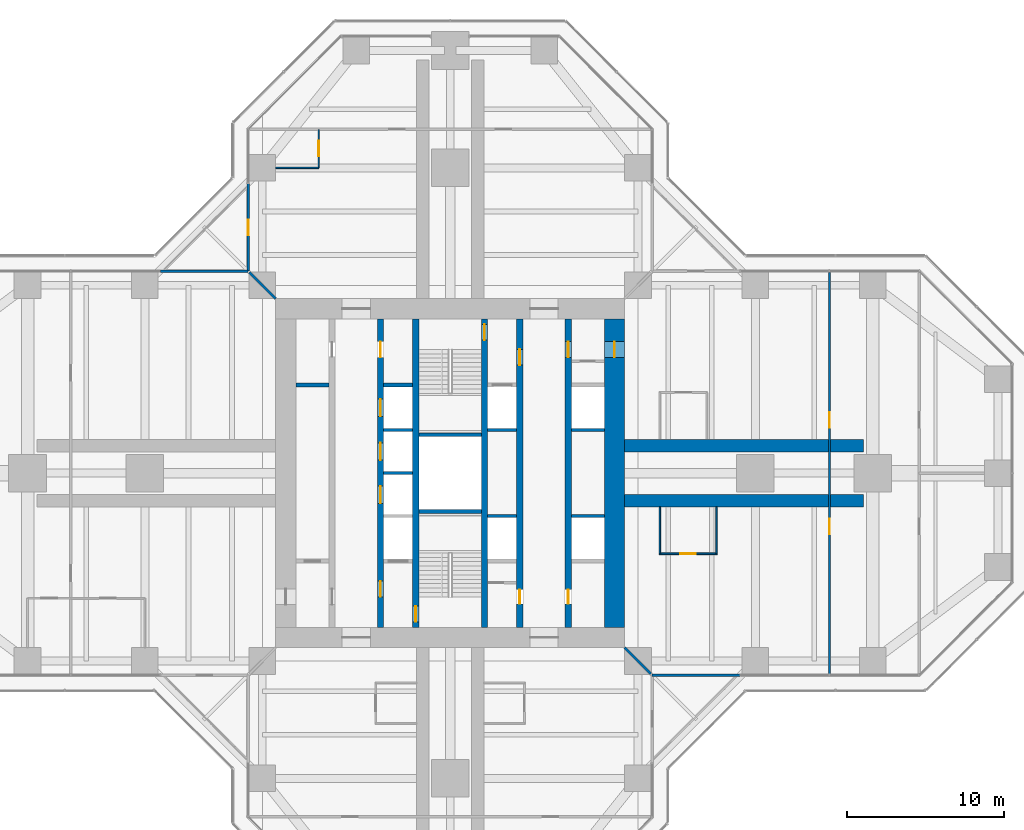
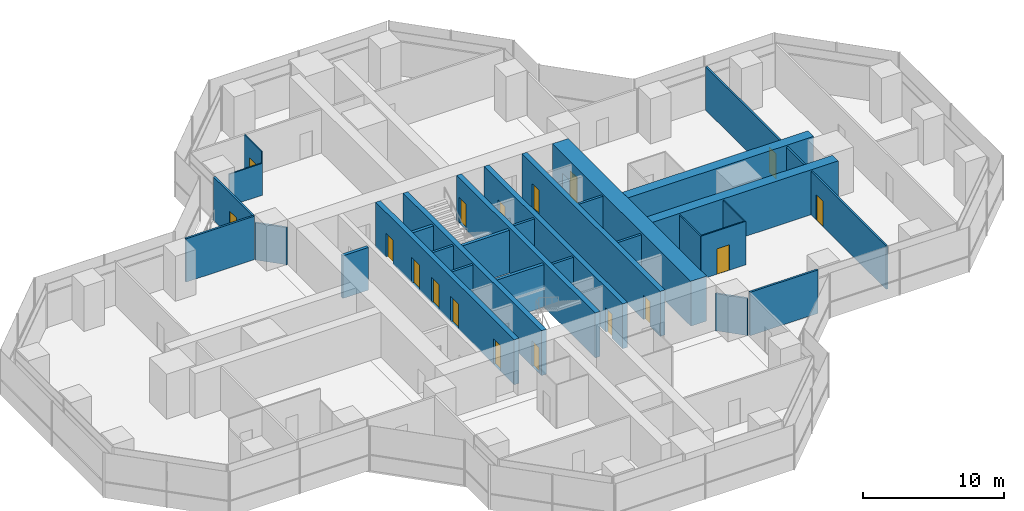
# One storey, part 16 of 19: 29 walls, 17 doors, 17 openings.
"""IFC4 building model written with IfcOpenShell, lengths in metres."""

from ifc_helpers import new_model, si_unit, direction, frame, frame_2d, origin, place, context, subcontext, project, spatial, rectangle, extrude, material, layer, layer_set, type_object, element, fill, save


model = new_model("IFC4")

# Units and contexts
model_context = context("Model", 3, precision=1e-05, world=origin(), true_north=direction((0.0, 1.0)))
body_context = subcontext(model_context, "Body", "Model", "MODEL_VIEW")
ifc_project = project(units=[si_unit("LENGTHUNIT", "METRE"), si_unit("AREAUNIT", "SQUARE_METRE"), si_unit("VOLUMEUNIT", "CUBIC_METRE"), si_unit("PLANEANGLEUNIT", "RADIAN"), si_unit("MASSUNIT", "GRAM", prefix="KILO")], contexts=[model_context])

# Site, building, storey
site_placement = place(None, origin())
site = spatial("IfcSite", under=ifc_project, at=site_placement, CompositionType="ELEMENT")
building_placement = place(site_placement, origin())
building = spatial("IfcBuilding", under=site, at=building_placement, Name="Mizan Broadcast Tower", CompositionType="ELEMENT")
storey_placement = place(building_placement, frame((0.0, 0.0, 186.60009765625)))
storey = spatial("IfcBuildingStorey", under=building, at=storey_placement, Name="L43", CompositionType="ELEMENT", Elevation=186.60009765625)

# Wall, openings, doors
ifc_material_1 = material(Name="Concrete C70/85", Category="concrete")
ifc_layer_1 = layer(ifc_material_1, 0.39990234375)
ifc_layer_set_1 = layer_set([ifc_layer_1], Name="Concrete C70/85")
wall_type_1 = type_object("IfcWallType", Name="CORE INTERNAL WALL 400", PredefinedType="SHEAR", material=ifc_layer_set_1)
wall_1_placement = place(storey_placement, frame((7.550048828125, 9.85009765625, 0.0), z_axis=(0.0, 0.0, 1.0), x_axis=(0.0, -1.0, 0.0)))
wall_1 = element("IfcWall", 1, at=wall_1_placement, inside=storey, type_object=wall_type_1, Name="Core wall CORE/XW1E", PredefinedType="SHEAR", context=body_context, shape_type="SweptSolid", body=[
    extrude(rectangle(XDim=19.7001953125, YDim=0.39990234375, at=frame_2d((9.85009765625, 0.0))), origin(), (0.0, 0.0, 1.0), 3.89990234375),
])
opening_1_placement = place(wall_1_placement, frame((1.449951171875, 0.0, 0.0)))
opening_1 = element("IfcOpeningElement", 2, at=opening_1_placement, cuts=wall_1, Name="Opening D10F", PredefinedType="OPENING", context=body_context, shape_type="SweptSolid", body=[
    extrude(rectangle(XDim=1.0, YDim=2.199951171875, at=frame_2d((0.5, 1.10009765625))), frame((0.0, 0.2099609375, 0.0), z_axis=(0.0, -1.0, 0.0), x_axis=(1.0, 0.0, 0.0)), (0.0, 0.0, 1.0), 0.419921875),
])
opening_2_placement = place(wall_1_placement, frame((17.300048828125, 0.0, 0.0)))
opening_2 = element("IfcOpeningElement", 3, at=opening_2_placement, cuts=wall_1, Name="Opening D09", PredefinedType="OPENING", context=body_context, shape_type="SweptSolid", body=[
    extrude(rectangle(XDim=0.89990234375, YDim=2.10009765625, at=frame_2d((0.449951171875, 1.050048828125))), frame((0.0, 0.2099609375, 0.0), z_axis=(0.0, -1.0, 0.0), x_axis=(1.0, 0.0, 0.0)), (0.0, 0.0, 1.0), 0.419921875),
])
ifc_material_2 = material(Name="Steel door leaf in steel frame", Category="steel")
door_type_1 = type_object("IfcDoorType", Name="FIRE DOOR 1000 FD90", OperationType="SINGLE_SWING_LEFT", PredefinedType="DOOR", material=ifc_material_2)
door_1_placement = place(opening_1_placement, origin())
door_1 = element("IfcDoor", 4, at=door_1_placement, inside=storey, type_object=door_type_1, Name="East core passage door", OperationType="SINGLE_SWING_LEFT", OverallHeight=2.199951171875, OverallWidth=1.0, PredefinedType="DOOR", context=body_context, shape_type="SweptSolid", body=[
    extrude(rectangle(XDim=1.0, YDim=2.199951171875, at=frame_2d((0.5, 1.10009765625))), frame((0.0, 0.02490234375, 0.0), z_axis=(0.0, -1.0, 0.0), x_axis=(1.0, 0.0, 0.0)), (0.0, 0.0, 1.0), 0.050048828125),
])
fill(opening_1, door_1)
ifc_material_3 = material(Name="Timber door leaf in aluminium frame", Category="wood")
door_type_2 = type_object("IfcDoorType", Name="TOILET DOOR 900", OperationType="SINGLE_SWING_LEFT", PredefinedType="DOOR", material=ifc_material_3)
door_2_placement = place(opening_2_placement, origin())
door_2 = element("IfcDoor", 5, at=door_2_placement, inside=storey, type_object=door_type_2, Name="Female WC door", OperationType="SINGLE_SWING_RIGHT", OverallHeight=2.10009765625, OverallWidth=0.89990234375, PredefinedType="DOOR", context=body_context, shape_type="SweptSolid", body=[
    extrude(rectangle(XDim=0.89990234375, YDim=2.10009765625, at=frame_2d((0.449951171875, 1.050048828125))), frame((0.0, 0.02490234375, 0.0), z_axis=(0.0, -1.0, 0.0), x_axis=(1.0, 0.0, 0.0)), (0.0, 0.0, 1.0), 0.050048828125),
])
fill(opening_2, door_2)

wall_2_placement = place(storey_placement, frame((-4.449951171875, -9.85009765625, 0.0), z_axis=(0.0, 0.0, 1.0), x_axis=(0.0, 1.0, 0.0)))
wall_2 = element("IfcWall", 6, at=wall_2_placement, inside=storey, type_object=wall_type_1, Name="Core wall CORE/XWH", PredefinedType="SHEAR", context=body_context, shape_type="SweptSolid", body=[
    extrude(rectangle(XDim=19.7001953125, YDim=0.39990234375, at=frame_2d((9.85009765625, 0.0))), origin(), (0.0, 0.0, 1.0), 3.89990234375),
])
opening_3_placement = place(wall_2_placement, frame((1.949951171875, 0.0, 0.0)))
opening_3 = element("IfcOpeningElement", 7, at=opening_3_placement, cuts=wall_2, Name="Opening D10F", PredefinedType="OPENING", context=body_context, shape_type="SweptSolid", body=[
    extrude(rectangle(XDim=1.0, YDim=2.199951171875, at=frame_2d((0.5, 1.10009765625))), frame((0.0, 0.2099609375, 0.0), z_axis=(0.0, -1.0, 0.0), x_axis=(1.0, 0.0, 0.0)), (0.0, 0.0, 1.0), 0.419921875),
])
opening_4_placement = place(wall_2_placement, frame((17.25, 0.0, 0.0)))
opening_4 = element("IfcOpeningElement", 8, at=opening_4_placement, cuts=wall_2, Name="Opening D10A", PredefinedType="OPENING", context=body_context, shape_type="SweptSolid", body=[
    extrude(rectangle(XDim=1.0, YDim=2.10009765625, at=frame_2d((0.5, 1.050048828125))), frame((0.0, 0.2099609375, 0.0), z_axis=(0.0, -1.0, 0.0), x_axis=(1.0, 0.0, 0.0)), (0.0, 0.0, 1.0), 0.419921875),
])
opening_5_placement = place(wall_2_placement, frame((7.925048828125, 0.0, 0.0)))
opening_5 = element("IfcOpeningElement", 9, at=opening_5_placement, cuts=wall_2, Name="Opening LD", PredefinedType="OPENING", context=body_context, shape_type="SweptSolid", body=[
    extrude(rectangle(XDim=1.10009765625, YDim=2.199951171875, at=frame_2d((0.550048828125, 1.10009765625))), frame((0.0, 0.2099609375, 0.0), z_axis=(0.0, -1.0, 0.0), x_axis=(1.0, 0.0, 0.0)), (0.0, 0.0, 1.0), 0.419921875),
])
opening_6_placement = place(wall_2_placement, frame((10.675048828125, 0.0, 0.0)))
opening_6 = element("IfcOpeningElement", 10, at=opening_6_placement, cuts=wall_2, Name="Opening LD", PredefinedType="OPENING", context=body_context, shape_type="SweptSolid", body=[
    extrude(rectangle(XDim=1.10009765625, YDim=2.199951171875, at=frame_2d((0.550048828125, 1.10009765625))), frame((0.0, 0.2099609375, 0.0), z_axis=(0.0, -1.0, 0.0), x_axis=(1.0, 0.0, 0.0)), (0.0, 0.0, 1.0), 0.419921875),
])
opening_7_placement = place(wall_2_placement, frame((13.47509765625, 0.0, 0.0)))
opening_7 = element("IfcOpeningElement", 11, at=opening_7_placement, cuts=wall_2, Name="Opening LD", PredefinedType="OPENING", context=body_context, shape_type="SweptSolid", body=[
    extrude(rectangle(XDim=1.10009765625, YDim=2.199951171875, at=frame_2d((0.550048828125, 1.10009765625))), frame((0.0, 0.2099609375, 0.0), z_axis=(0.0, -1.0, 0.0), x_axis=(1.0, 0.0, 0.0)), (0.0, 0.0, 1.0), 0.419921875),
])
ifc_material_4 = material(Name="Timber door leaf in aluminium frame", Category="wood")
door_type_3 = type_object("IfcDoorType", Name="ACCESSIBLE WC DOOR 1000", OperationType="SLIDING_TO_LEFT", PredefinedType="DOOR", material=ifc_material_4)
door_3_placement = place(opening_4_placement, origin())
door_3 = element("IfcDoor", 12, at=door_3_placement, inside=storey, type_object=door_type_3, Name="Accessible WC door", OperationType="SLIDING_TO_LEFT", OverallHeight=2.10009765625, OverallWidth=1.0, PredefinedType="DOOR", context=body_context, shape_type="SweptSolid", body=[
    extrude(rectangle(XDim=1.0, YDim=2.10009765625, at=frame_2d((0.5, 1.050048828125))), frame((0.0, 0.02490234375, 0.0), z_axis=(0.0, -1.0, 0.0), x_axis=(1.0, 0.0, 0.0)), (0.0, 0.0, 1.0), 0.050048828125),
])
fill(opening_4, door_3)
door_4_placement = place(opening_3_placement, origin())
door_4 = element("IfcDoor", 13, at=door_4_placement, inside=storey, type_object=door_type_1, Name="Firefighting lobby A door", OperationType="SINGLE_SWING_LEFT", OverallHeight=2.199951171875, OverallWidth=1.0, PredefinedType="DOOR", context=body_context, shape_type="SweptSolid", body=[
    extrude(rectangle(XDim=1.0, YDim=2.199951171875, at=frame_2d((0.5, 1.10009765625))), frame((0.0, 0.02490234375, 0.0), z_axis=(0.0, -1.0, 0.0), x_axis=(1.0, 0.0, 0.0)), (0.0, 0.0, 1.0), 0.050048828125),
])
fill(opening_3, door_4)
ifc_material_5 = material(Name="Steel door leaf in steel frame", Category="steel")
door_type_4 = type_object("IfcDoorType", Name="LIFT LANDING DOOR 1100", OperationType="SLIDING_TO_LEFT", PredefinedType="DOOR", material=ifc_material_5)
door_5_placement = place(opening_5_placement, origin())
door_5 = element("IfcDoor", 14, at=door_5_placement, inside=storey, type_object=door_type_4, Name="Landing door LB1", OperationType="SLIDING_TO_LEFT", OverallHeight=2.199951171875, OverallWidth=1.10009765625, PredefinedType="DOOR", context=body_context, shape_type="SweptSolid", body=[
    extrude(rectangle(XDim=1.10009765625, YDim=2.199951171875, at=frame_2d((0.550048828125, 1.10009765625))), frame((0.0, 0.02490234375, 0.0), z_axis=(0.0, -1.0, 0.0), x_axis=(1.0, 0.0, 0.0)), (0.0, 0.0, 1.0), 0.050048828125),
])
fill(opening_5, door_5)
door_6_placement = place(opening_6_placement, origin())
door_6 = element("IfcDoor", 15, at=door_6_placement, inside=storey, type_object=door_type_4, Name="Landing door LB2", OperationType="SLIDING_TO_LEFT", OverallHeight=2.199951171875, OverallWidth=1.10009765625, PredefinedType="DOOR", context=body_context, shape_type="SweptSolid", body=[
    extrude(rectangle(XDim=1.10009765625, YDim=2.199951171875, at=frame_2d((0.550048828125, 1.10009765625))), frame((0.0, 0.02490234375, 0.0), z_axis=(0.0, -1.0, 0.0), x_axis=(1.0, 0.0, 0.0)), (0.0, 0.0, 1.0), 0.050048828125),
])
fill(opening_6, door_6)
door_7_placement = place(opening_7_placement, origin())
door_7 = element("IfcDoor", 16, at=door_7_placement, inside=storey, type_object=door_type_4, Name="Landing door LB3", OperationType="SLIDING_TO_LEFT", OverallHeight=2.199951171875, OverallWidth=1.10009765625, PredefinedType="DOOR", context=body_context, shape_type="SweptSolid", body=[
    extrude(rectangle(XDim=1.10009765625, YDim=2.199951171875, at=frame_2d((0.550048828125, 1.10009765625))), frame((0.0, 0.02490234375, 0.0), z_axis=(0.0, -1.0, 0.0), x_axis=(1.0, 0.0, 0.0)), (0.0, 0.0, 1.0), 0.050048828125),
])
fill(opening_7, door_7)

wall_3_placement = place(storey_placement, frame((4.449951171875, 9.85009765625, 0.0), z_axis=(0.0, 0.0, 1.0), x_axis=(0.0, -1.0, 0.0)))
wall_3 = element("IfcWall", 17, at=wall_3_placement, inside=storey, type_object=wall_type_1, Name="Core wall CORE/XWHE", PredefinedType="SHEAR", context=body_context, shape_type="SweptSolid", body=[
    extrude(rectangle(XDim=19.7001953125, YDim=0.39990234375, at=frame_2d((9.85009765625, 0.0))), origin(), (0.0, 0.0, 1.0), 3.89990234375),
])
opening_8_placement = place(wall_3_placement, frame((1.949951171875, 0.0, 0.0)))
opening_8 = element("IfcOpeningElement", 18, at=opening_8_placement, cuts=wall_3, Name="Opening D10F", PredefinedType="OPENING", context=body_context, shape_type="SweptSolid", body=[
    extrude(rectangle(XDim=1.0, YDim=2.199951171875, at=frame_2d((0.5, 1.10009765625))), frame((0.0, 0.2099609375, 0.0), z_axis=(0.0, -1.0, 0.0), x_axis=(1.0, 0.0, 0.0)), (0.0, 0.0, 1.0), 0.419921875),
])
opening_9_placement = place(wall_3_placement, frame((17.300048828125, 0.0, 0.0)))
opening_9 = element("IfcOpeningElement", 19, at=opening_9_placement, cuts=wall_3, Name="Opening D09", PredefinedType="OPENING", context=body_context, shape_type="SweptSolid", body=[
    extrude(rectangle(XDim=0.89990234375, YDim=2.10009765625, at=frame_2d((0.449951171875, 1.050048828125))), frame((0.0, 0.2099609375, 0.0), z_axis=(0.0, -1.0, 0.0), x_axis=(1.0, 0.0, 0.0)), (0.0, 0.0, 1.0), 0.419921875),
])
door_8_placement = place(opening_8_placement, origin())
door_8 = element("IfcDoor", 20, at=door_8_placement, inside=storey, type_object=door_type_1, Name="Firefighting lobby B door", OperationType="SINGLE_SWING_LEFT", OverallHeight=2.199951171875, OverallWidth=1.0, PredefinedType="DOOR", context=body_context, shape_type="SweptSolid", body=[
    extrude(rectangle(XDim=1.0, YDim=2.199951171875, at=frame_2d((0.5, 1.10009765625))), frame((0.0, 0.02490234375, 0.0), z_axis=(0.0, -1.0, 0.0), x_axis=(1.0, 0.0, 0.0)), (0.0, 0.0, 1.0), 0.050048828125),
])
fill(opening_8, door_8)
door_9_placement = place(opening_9_placement, origin())
door_9 = element("IfcDoor", 21, at=door_9_placement, inside=storey, type_object=door_type_2, Name="Cleaner's store door", OperationType="SINGLE_SWING_RIGHT", OverallHeight=2.10009765625, OverallWidth=0.89990234375, PredefinedType="DOOR", context=body_context, shape_type="SweptSolid", body=[
    extrude(rectangle(XDim=0.89990234375, YDim=2.10009765625, at=frame_2d((0.449951171875, 1.050048828125))), frame((0.0, 0.02490234375, 0.0), z_axis=(0.0, -1.0, 0.0), x_axis=(1.0, 0.0, 0.0)), (0.0, 0.0, 1.0), 0.050048828125),
])
fill(opening_9, door_9)

# Wall, opening, door
wall_4_placement = place(storey_placement, frame((-2.199951171875, -9.85009765625, 0.0), z_axis=(0.0, 0.0, 1.0), x_axis=(0.0, 1.0, 0.0)))
wall_4 = element("IfcWall", 22, at=wall_4_placement, inside=storey, type_object=wall_type_1, Name="Core wall CORE/XW2", PredefinedType="SHEAR", context=body_context, shape_type="SweptSolid", body=[
    extrude(rectangle(XDim=19.7001953125, YDim=0.39990234375, at=frame_2d((9.85009765625, 0.0))), origin(), (0.0, 0.0, 1.0), 3.89990234375),
])
opening_10_placement = place(wall_4_placement, frame((0.35009765625, 0.0, 0.0)))
opening_10 = element("IfcOpeningElement", 23, at=opening_10_placement, cuts=wall_4, Name="Opening D10S", PredefinedType="OPENING", context=body_context, shape_type="SweptSolid", body=[
    extrude(rectangle(XDim=1.0, YDim=2.199951171875, at=frame_2d((0.5, 1.10009765625))), frame((0.0, 0.2099609375, 0.0), z_axis=(0.0, -1.0, 0.0), x_axis=(1.0, 0.0, 0.0)), (0.0, 0.0, 1.0), 0.419921875),
])
ifc_material_6 = material(Name="Steel door leaf in steel frame", Category="steel")
door_type_5 = type_object("IfcDoorType", Name="STAIR DOOR 1000 FD90S", OperationType="SINGLE_SWING_RIGHT", PredefinedType="DOOR", material=ifc_material_6)
door_10_placement = place(opening_10_placement, origin())
door_10 = element("IfcDoor", 24, at=door_10_placement, inside=storey, type_object=door_type_5, Name="Stair A door", OperationType="SINGLE_SWING_RIGHT", OverallHeight=2.199951171875, OverallWidth=1.0, PredefinedType="DOOR", context=body_context, shape_type="SweptSolid", body=[
    extrude(rectangle(XDim=1.0, YDim=2.199951171875, at=frame_2d((0.5, 1.10009765625))), frame((0.0, 0.02490234375, 0.0), z_axis=(0.0, -1.0, 0.0), x_axis=(1.0, 0.0, 0.0)), (0.0, 0.0, 1.0), 0.050048828125),
])
fill(opening_10, door_10)

wall_5_placement = place(storey_placement, frame((2.199951171875, 9.85009765625, 0.0), z_axis=(0.0, 0.0, 1.0), x_axis=(0.0, -1.0, 0.0)))
wall_5 = element("IfcWall", 25, at=wall_5_placement, inside=storey, type_object=wall_type_1, Name="Core wall CORE/XW2E", PredefinedType="SHEAR", context=body_context, shape_type="SweptSolid", body=[
    extrude(rectangle(XDim=19.7001953125, YDim=0.39990234375, at=frame_2d((9.85009765625, 0.0))), origin(), (0.0, 0.0, 1.0), 3.89990234375),
])
opening_11_placement = place(wall_5_placement, frame((0.35009765625, 0.0, 0.0)))
opening_11 = element("IfcOpeningElement", 26, at=opening_11_placement, cuts=wall_5, Name="Opening D10S", PredefinedType="OPENING", context=body_context, shape_type="SweptSolid", body=[
    extrude(rectangle(XDim=1.0, YDim=2.199951171875, at=frame_2d((0.5, 1.10009765625))), frame((0.0, 0.2099609375, 0.0), z_axis=(0.0, -1.0, 0.0), x_axis=(1.0, 0.0, 0.0)), (0.0, 0.0, 1.0), 0.419921875),
])
door_11_placement = place(opening_11_placement, origin())
door_11 = element("IfcDoor", 27, at=door_11_placement, inside=storey, type_object=door_type_5, Name="Stair B door", OperationType="SINGLE_SWING_RIGHT", OverallHeight=2.199951171875, OverallWidth=1.0, PredefinedType="DOOR", context=body_context, shape_type="SweptSolid", body=[
    extrude(rectangle(XDim=1.0, YDim=2.199951171875, at=frame_2d((0.5, 1.10009765625))), frame((0.0, 0.02490234375, 0.0), z_axis=(0.0, -1.0, 0.0), x_axis=(1.0, 0.0, 0.0)), (0.0, 0.0, 1.0), 0.050048828125),
])
fill(opening_11, door_11)

ifc_material_7 = material(Name="Concrete C70/85", Category="concrete")
ifc_layer_2 = layer(ifc_material_7, 1.300048828125)
ifc_layer_set_2 = layer_set([ifc_layer_2], Name="Concrete C70/85")
wall_type_2 = type_object("IfcWallType", Name="CORE WALL 1300", PredefinedType="SHEAR", material=ifc_layer_set_2)
wall_6_placement = place(storey_placement, frame((10.5, -9.85009765625, 0.0), z_axis=(0.0, 0.0, 1.0), x_axis=(0.0, 1.0, 0.0)))
wall_6 = element("IfcWall", 28, at=wall_6_placement, inside=storey, type_object=wall_type_2, Name="Core wall E L43", PredefinedType="SHEAR", context=body_context, shape_type="SweptSolid", body=[
    extrude(rectangle(XDim=19.7001953125, YDim=1.300048828125, at=frame_2d((9.85009765625, 0.0))), origin(), (0.0, 0.0, 1.0), 3.89990234375),
])
opening_12_placement = place(wall_6_placement, frame((17.25, 0.0, 0.0)))
opening_12 = element("IfcOpeningElement", 29, at=opening_12_placement, cuts=wall_6, Name="Opening D10F", PredefinedType="OPENING", context=body_context, shape_type="SweptSolid", body=[
    extrude(rectangle(XDim=1.0, YDim=2.199951171875, at=frame_2d((0.5, 1.10009765625))), frame((0.0, 0.659912109375, 0.0), z_axis=(0.0, -1.0, 0.0), x_axis=(1.0, 0.0, 0.0)), (0.0, 0.0, 1.0), 1.320068359375),
])
door_12_placement = place(opening_12_placement, origin())
door_12 = element("IfcDoor", 30, at=door_12_placement, inside=storey, type_object=door_type_1, Name="East core passage arm door", OperationType="SINGLE_SWING_RIGHT", OverallHeight=2.199951171875, OverallWidth=1.0, PredefinedType="DOOR", context=body_context, shape_type="SweptSolid", body=[
    extrude(rectangle(XDim=1.0, YDim=2.199951171875, at=frame_2d((0.5, 1.10009765625))), frame((0.0, 0.02490234375, 0.0), z_axis=(0.0, -1.0, 0.0), x_axis=(1.0, 0.0, 0.0)), (0.0, 0.0, 1.0), 0.050048828125),
])
fill(opening_12, door_12)

# Wall
ifc_material_8 = material(Name="Aluminium framed glazed screen", Category="aluminium")
ifc_layer_3 = layer(ifc_material_8, 0.159912109375)
ifc_layer_set_3 = layer_set([ifc_layer_3], Name="Aluminium framed glazed screen")
wall_type_3 = type_object("IfcWallType", Name="GLAZED SCREEN WALL 160", PredefinedType="SOLIDWALL", material=ifc_layer_set_3)
wall_7_placement = place(storey_placement, frame((12.89990234375, -12.89990234375, 0.0), z_axis=(0.0, 0.0, 1.0), x_axis=(1.0, 0.0, 0.0)))
element("IfcWall", 31, at=wall_7_placement, inside=storey, type_object=wall_type_3, Name="Winter garden screen L43 E", PredefinedType="SOLIDWALL", context=body_context, shape_type="SweptSolid", body=[
    extrude(rectangle(XDim=5.60009765625, YDim=0.159912109375, at=frame_2d((2.800048828125, 0.0))), origin(), (0.0, 0.0, 1.0), 3.77001953125),
])

# Wall, opening, door
wall_8_placement = place(storey_placement, frame((-12.89990234375, 18.5, 0.0), z_axis=(0.0, 0.0, 1.0), x_axis=(0.0, -1.0, 0.0)))
wall_8 = element("IfcWall", 32, at=wall_8_placement, inside=storey, type_object=wall_type_3, Name="Winter garden screen L43 N", PredefinedType="SOLIDWALL", context=body_context, shape_type="SweptSolid", body=[
    extrude(rectangle(XDim=5.60009765625, YDim=0.159912109375, at=frame_2d((2.800048828125, 0.0))), origin(), (0.0, 0.0, 1.0), 3.77001953125),
])
opening_13_placement = place(wall_8_placement, frame((2.300048828125, 0.0, 0.0)))
opening_13 = element("IfcOpeningElement", 33, at=opening_13_placement, cuts=wall_8, Name="Opening WGD", PredefinedType="OPENING", context=body_context, shape_type="SweptSolid", body=[
    extrude(rectangle(XDim=1.0, YDim=2.199951171875, at=frame_2d((0.5, 1.10009765625))), frame((0.0, 0.08984375, 0.0), z_axis=(0.0, -1.0, 0.0), x_axis=(1.0, 0.0, 0.0)), (0.0, 0.0, 1.0), 0.179931640625),
])
ifc_material_9 = material(Name="Aluminium framed glazed door", Category="aluminium")
door_type_6 = type_object("IfcDoorType", Name="WINTER GARDEN DOOR 1000 GLAZED", OperationType="SINGLE_SWING_LEFT", PredefinedType="DOOR", material=ifc_material_9)
door_13_placement = place(opening_13_placement, origin())
door_13 = element("IfcDoor", 34, at=door_13_placement, inside=storey, type_object=door_type_6, Name="Winter garden door L43 N", OperationType="SINGLE_SWING_RIGHT", OverallHeight=2.199951171875, OverallWidth=1.0, PredefinedType="DOOR", context=body_context, shape_type="SweptSolid", body=[
    extrude(rectangle(XDim=1.0, YDim=2.199951171875, at=frame_2d((0.5, 1.10009765625))), frame((0.0, 0.02490234375, 0.0), z_axis=(0.0, -1.0, 0.0), x_axis=(1.0, 0.0, 0.0)), (0.0, 0.0, 1.0), 0.050048828125),
])
fill(opening_13, door_13)

# Walls
wall_9_placement = place(storey_placement, frame((-12.89990234375, 12.89990234375, 0.0), z_axis=(0.0, 0.0, 1.0), x_axis=(-1.0, 0.0, 0.0)))
element("IfcWall", 35, at=wall_9_placement, inside=storey, type_object=wall_type_3, Name="Winter garden screen L43 W", PredefinedType="SOLIDWALL", context=body_context, shape_type="SweptSolid", body=[
    extrude(rectangle(XDim=5.60009765625, YDim=0.159912109375, at=frame_2d((2.800048828125, 0.0))), origin(), (0.0, 0.0, 1.0), 3.77001953125),
])
ifc_material_10 = material(Name="Concrete blockwork", Category="masonry")
ifc_layer_4 = layer(ifc_material_10, 0.199951171875)
ifc_layer_set_4 = layer_set([ifc_layer_4], Name="Concrete blockwork")
wall_type_4 = type_object("IfcWallType", Name="LIFT SHAFT WALL 200", PredefinedType="SOLIDWALL", material=ifc_layer_set_4)
wall_10_placement = place(storey_placement, frame((2.39990234375, -2.75, 0.0), z_axis=(0.0, 0.0, 1.0), x_axis=(1.0, 0.0, 0.0)))
element("IfcWall", 36, at=wall_10_placement, inside=storey, type_object=wall_type_4, Name="Lift shaft wall CORE/SE2-1", PredefinedType="SOLIDWALL", context=body_context, shape_type="SweptSolid", body=[
    extrude(rectangle(XDim=1.85009765625, YDim=0.199951171875, at=frame_2d((0.925048828125, 0.0))), origin(), (0.0, 0.0, 1.0), 3.699951171875),
])
wall_11_placement = place(storey_placement, frame((7.75, -2.75, 0.0), z_axis=(0.0, 0.0, 1.0), x_axis=(1.0, 0.0, 0.0)))
element("IfcWall", 37, at=wall_11_placement, inside=storey, type_object=wall_type_4, Name="Lift shaft wall CORE/SE1-1", PredefinedType="SOLIDWALL", context=body_context, shape_type="SweptSolid", body=[
    extrude(rectangle(XDim=2.10009765625, YDim=0.199951171875, at=frame_2d((1.050048828125, 0.0))), origin(), (0.0, 0.0, 1.0), 3.699951171875),
])
for number, where, z_axis, x_axis, name in (
    (38, (-4.25, 0.0, 0.0), (0.0, 0.0, 1.0), (1.0, 0.0, 0.0), "Lift shaft wall CORE/SW2-2"),
    (39, (-4.25, 2.75, 0.0), (0.0, 0.0, 1.0), (1.0, 0.0, 0.0), "Lift shaft wall CORE/SW2-3"),
    (40, (2.39990234375, 2.75, 0.0), (0.0, 0.0, 1.0), (1.0, 0.0, 0.0), "Lift shaft wall CORE/SE2-3"),
):
    element("IfcWall", number, at=place(storey_placement, frame(where, z_axis=z_axis, x_axis=x_axis)), inside=storey, type_object=wall_type_4, Name=name, PredefinedType="SOLIDWALL", context=body_context, shape_type="SweptSolid", body=[
        extrude(rectangle(XDim=1.85009765625, YDim=0.199951171875, at=frame_2d((0.925048828125, 0.0))), origin(), (0.0, 0.0, 1.0), 3.699951171875),
    ])
wall_12_placement = place(storey_placement, frame((7.75, 2.75, 0.0), z_axis=(0.0, 0.0, 1.0), x_axis=(1.0, 0.0, 0.0)))
element("IfcWall", 41, at=wall_12_placement, inside=storey, type_object=wall_type_4, Name="Lift shaft wall CORE/SE1-3", PredefinedType="SOLIDWALL", context=body_context, shape_type="SweptSolid", body=[
    extrude(rectangle(XDim=2.10009765625, YDim=0.199951171875, at=frame_2d((1.050048828125, 0.0))), origin(), (0.0, 0.0, 1.0), 3.699951171875),
])
ifc_material_11 = material(Name="Concrete blockwork", Category="masonry")
ifc_layer_5 = layer(ifc_material_11, 0.25)
ifc_layer_set_5 = layer_set([ifc_layer_5], Name="Concrete blockwork")
wall_type_5 = type_object("IfcWallType", Name="LOBBY ENCLOSURE WALL 250", PredefinedType="SOLIDWALL", material=ifc_layer_set_5)
wall_13_placement = place(storey_placement, frame((-9.85009765625, 5.625, 0.0), z_axis=(0.0, 0.0, 1.0), x_axis=(1.0, 0.0, 0.0)))
element("IfcWall", 42, at=wall_13_placement, inside=storey, type_object=wall_type_5, Name="Lobby enclosure wall CORE/BW1N", PredefinedType="SOLIDWALL", context=body_context, shape_type="SweptSolid", body=[
    extrude(rectangle(XDim=2.10009765625, YDim=0.25, at=frame_2d((1.050048828125, 0.0))), origin(), (0.0, 0.0, 1.0), 3.699951171875),
])
wall_14_placement = place(storey_placement, frame((-4.25, 5.625, 0.0), z_axis=(0.0, 0.0, 1.0), x_axis=(1.0, 0.0, 0.0)))
element("IfcWall", 43, at=wall_14_placement, inside=storey, type_object=wall_type_5, Name="Lobby enclosure wall CORE/BW2N", PredefinedType="SOLIDWALL", context=body_context, shape_type="SweptSolid", body=[
    extrude(rectangle(XDim=1.85009765625, YDim=0.25, at=frame_2d((0.925048828125, 0.0))), origin(), (0.0, 0.0, 1.0), 3.699951171875),
])
for number, where, z_axis, x_axis, name in (
    (44, (-2.0, -2.449951171875, 0.0), (0.0, 0.0, 1.0), (1.0, 0.0, 0.0), "Lobby enclosure wall CORE/STA"),
    (45, (-2.0, 2.449951171875, 0.0), (0.0, 0.0, 1.0), (1.0, 0.0, 0.0), "Lobby enclosure wall CORE/STB"),
):
    element("IfcWall", number, at=place(storey_placement, frame(where, z_axis=z_axis, x_axis=x_axis)), inside=storey, type_object=wall_type_5, Name=name, PredefinedType="SOLIDWALL", context=body_context, shape_type="SweptSolid", body=[
        extrude(rectangle(XDim=4.0, YDim=0.25, at=frame_2d((2.0, 0.0))), origin(), (0.0, 0.0, 1.0), 3.699951171875),
    ])

# Wall, openings, doors
ifc_material_12 = material(Name="Gypsum board on steel studs", Category="steel")
ifc_layer_6 = layer(ifc_material_12, 0.14990234375)
ifc_layer_set_6 = layer_set([ifc_layer_6], Name="Gypsum board on steel studs")
wall_type_6 = type_object("IfcWallType", Name="PARTITION 150", PredefinedType="PARTITIONING", material=ifc_layer_set_6)
wall_15_placement = place(storey_placement, frame((24.22900390625, -12.820068359375, 0.0), z_axis=(0.0, 0.0, 1.0), x_axis=(0.0, 1.0, 0.0)))
wall_15 = element("IfcWall", 46, at=wall_15_placement, inside=storey, type_object=wall_type_6, Name="Partition PT/EX1", PredefinedType="PARTITIONING", context=body_context, shape_type="SweptSolid", body=[
    extrude(rectangle(XDim=25.64013671875, YDim=0.14990234375, at=frame_2d((12.820068359375, 0.0))), origin(), (0.0, 0.0, 1.0), 3.77001953125),
])
opening_14_placement = place(wall_15_placement, frame((15.719970703125, 0.0, 0.0)))
opening_14 = element("IfcOpeningElement", 47, at=opening_14_placement, cuts=wall_15, Name="Opening D10", PredefinedType="OPENING", context=body_context, shape_type="SweptSolid", body=[
    extrude(rectangle(XDim=1.0, YDim=2.199951171875, at=frame_2d((0.5, 1.10009765625))), frame((0.0, 0.0849609375, 0.0), z_axis=(0.0, -1.0, 0.0), x_axis=(1.0, 0.0, 0.0)), (0.0, 0.0, 1.0), 0.169921875),
])
opening_15_placement = place(wall_15_placement, frame((8.919921875, 0.0, 0.0)))
opening_15 = element("IfcOpeningElement", 48, at=opening_15_placement, cuts=wall_15, Name="Opening D10", PredefinedType="OPENING", context=body_context, shape_type="SweptSolid", body=[
    extrude(rectangle(XDim=1.0, YDim=2.199951171875, at=frame_2d((0.5, 1.10009765625))), frame((0.0, 0.0849609375, 0.0), z_axis=(0.0, -1.0, 0.0), x_axis=(1.0, 0.0, 0.0)), (0.0, 0.0, 1.0), 0.169921875),
])
ifc_material_13 = material(Name="Timber door leaf in aluminium frame", Category="wood")
door_type_7 = type_object("IfcDoorType", Name="ROOM DOOR 1000", OperationType="SINGLE_SWING_LEFT", PredefinedType="DOOR", material=ifc_material_13)
door_14_placement = place(opening_14_placement, origin())
door_14 = element("IfcDoor", 49, at=door_14_placement, inside=storey, type_object=door_type_7, Name="Open office door", OperationType="SINGLE_SWING_RIGHT", OverallHeight=2.199951171875, OverallWidth=1.0, PredefinedType="DOOR", context=body_context, shape_type="SweptSolid", body=[
    extrude(rectangle(XDim=1.0, YDim=2.199951171875, at=frame_2d((0.5, 1.10009765625))), frame((0.0, 0.02490234375, 0.0), z_axis=(0.0, -1.0, 0.0), x_axis=(1.0, 0.0, 0.0)), (0.0, 0.0, 1.0), 0.050048828125),
])
fill(opening_14, door_14)
door_15_placement = place(opening_15_placement, origin())
door_15 = element("IfcDoor", 50, at=door_15_placement, inside=storey, type_object=door_type_7, Name="Open office door", OperationType="SINGLE_SWING_LEFT", OverallHeight=2.199951171875, OverallWidth=1.0, PredefinedType="DOOR", context=body_context, shape_type="SweptSolid", body=[
    extrude(rectangle(XDim=1.0, YDim=2.199951171875, at=frame_2d((0.5, 1.10009765625))), frame((0.0, 0.02490234375, 0.0), z_axis=(0.0, -1.0, 0.0), x_axis=(1.0, 0.0, 0.0)), (0.0, 0.0, 1.0), 0.050048828125),
])
fill(opening_15, door_15)

# Walls
for number, where, z_axis, x_axis, name in (
    (51, (-11.14990234375, 11.14990234375, 0.0), (0.0, 0.0, 1.0), (-0.707106781187, 0.707106781187, 0.0), "Partition PT/DGWN"),
    (52, (11.14990234375, -11.14990234375, 0.0), (0.0, 0.0, 1.0), (0.707106781187, -0.707106781187, 0.0), "Partition PT/DGES"),
):
    element("IfcWall", number, at=place(storey_placement, frame(where, z_axis=z_axis, x_axis=x_axis)), inside=storey, type_object=wall_type_6, Name=name, PredefinedType="PARTITIONING", context=body_context, shape_type="SweptSolid", body=[
        extrude(rectangle(XDim=2.362060546875, YDim=0.14990234375, at=frame_2d((1.18115234375, 0.0))), origin(), (0.0, 0.0, 1.0), 3.219970703125),
    ])
ifc_material_14 = material(Name="Glazed aluminium partition on aluminium track", Category="aluminium")
ifc_layer_7 = layer(ifc_material_14, 0.10009765625)
ifc_layer_set_7 = layer_set([ifc_layer_7], Name="Glazed aluminium partition on aluminium track")
wall_type_7 = type_object("IfcWallType", Name="PARTITION GLAZED OFFICE FRONT 100", PredefinedType="PARTITIONING", material=ifc_layer_set_7)
for number, where, z_axis, x_axis, name in (
    (53, (13.39990234375, -2.14990234375, 0.0), (0.0, 0.0, 1.0), (0.0, -1.0, 0.0), "Glazed office front PT/EKN0a"),
    (54, (17.0, -2.14990234375, 0.0), (0.0, 0.0, 1.0), (0.0, -1.0, 0.0), "Glazed office front PT/EKN0b"),
):
    element("IfcWall", number, at=place(storey_placement, frame(where, z_axis=z_axis, x_axis=x_axis)), inside=storey, type_object=wall_type_7, Name=name, PredefinedType="PARTITIONING", context=body_context, shape_type="SweptSolid", body=[
        extrude(rectangle(XDim=3.0, YDim=0.10009765625, at=frame_2d((1.5, 0.0))), origin(), (0.0, 0.0, 1.0), 3.77001953125),
    ])

# Wall, opening, door
wall_16_placement = place(storey_placement, frame((13.35009765625, -5.14990234375, 0.0), z_axis=(0.0, 0.0, 1.0), x_axis=(1.0, 0.0, 0.0)))
wall_16 = element("IfcWall", 55, at=wall_16_placement, inside=storey, type_object=wall_type_7, Name="Glazed office front PT/EKN0f", PredefinedType="PARTITIONING", context=body_context, shape_type="SweptSolid", body=[
    extrude(rectangle(XDim=3.699951171875, YDim=0.10009765625, at=frame_2d((1.85009765625, 0.0))), origin(), (0.0, 0.0, 1.0), 3.77001953125),
])
opening_16_placement = place(wall_16_placement, frame((1.35009765625, 0.0, 0.0)))
opening_16 = element("IfcOpeningElement", 56, at=opening_16_placement, cuts=wall_16, Name="Opening D10O", PredefinedType="OPENING", context=body_context, shape_type="SweptSolid", body=[
    extrude(rectangle(XDim=1.0, YDim=2.199951171875, at=frame_2d((0.5, 1.10009765625))), frame((0.0, 0.06005859375, 0.0), z_axis=(0.0, -1.0, 0.0), x_axis=(1.0, 0.0, 0.0)), (0.0, 0.0, 1.0), 0.1201171875),
])
ifc_material_15 = material(Name="Timber door leaf in aluminium frame", Category="wood")
door_type_8 = type_object("IfcDoorType", Name="OFFICE DOOR 1000 GLAZED", OperationType="SINGLE_SWING_LEFT", PredefinedType="DOOR", material=ifc_material_15)
door_16_placement = place(opening_16_placement, origin())
door_16 = element("IfcDoor", 57, at=door_16_placement, inside=storey, type_object=door_type_8, Name="Model store door", OperationType="SINGLE_SWING_LEFT", OverallHeight=2.199951171875, OverallWidth=1.0, PredefinedType="DOOR", context=body_context, shape_type="SweptSolid", body=[
    extrude(rectangle(XDim=1.0, YDim=2.199951171875, at=frame_2d((0.5, 1.10009765625))), frame((0.0, 0.02490234375, 0.0), z_axis=(0.0, -1.0, 0.0), x_axis=(1.0, 0.0, 0.0)), (0.0, 0.0, 1.0), 0.050048828125),
])
fill(opening_16, door_16)

wall_17_placement = place(storey_placement, frame((-8.39990234375, 19.5, 0.0), z_axis=(0.0, 0.0, 1.0), x_axis=(0.0, 1.0, 0.0)))
wall_17 = element("IfcWall", 58, at=wall_17_placement, inside=storey, type_object=wall_type_7, Name="Glazed office front PT/NCP0", PredefinedType="PARTITIONING", context=body_context, shape_type="SweptSolid", body=[
    extrude(rectangle(XDim=2.458984375, YDim=0.10009765625, at=frame_2d((1.2294921875, 0.0))), origin(), (0.0, 0.0, 1.0), 3.77001953125),
])
opening_17_placement = place(wall_17_placement, frame((0.7294921875, 0.0, 0.0)))
opening_17 = element("IfcOpeningElement", 59, at=opening_17_placement, cuts=wall_17, Name="Opening D10O", PredefinedType="OPENING", context=body_context, shape_type="SweptSolid", body=[
    extrude(rectangle(XDim=1.0, YDim=2.199951171875, at=frame_2d((0.5, 1.10009765625))), frame((0.0, 0.06005859375, 0.0), z_axis=(0.0, -1.0, 0.0), x_axis=(1.0, 0.0, 0.0)), (0.0, 0.0, 1.0), 0.1201171875),
])
door_17_placement = place(opening_17_placement, origin())
door_17 = element("IfcDoor", 60, at=door_17_placement, inside=storey, type_object=door_type_8, Name="Office door", OperationType="SINGLE_SWING_LEFT", OverallHeight=2.199951171875, OverallWidth=1.0, PredefinedType="DOOR", context=body_context, shape_type="SweptSolid", body=[
    extrude(rectangle(XDim=1.0, YDim=2.199951171875, at=frame_2d((0.5, 1.10009765625))), frame((0.0, 0.02490234375, 0.0), z_axis=(0.0, -1.0, 0.0), x_axis=(1.0, 0.0, 0.0)), (0.0, 0.0, 1.0), 0.050048828125),
])
fill(opening_17, door_17)

# Walls
wall_18_placement = place(storey_placement, frame((-8.39990234375, 19.5, 0.0), z_axis=(0.0, 0.0, 1.0), x_axis=(-1.0, 0.0, 0.0)))
element("IfcWall", 61, at=wall_18_placement, inside=storey, type_object=wall_type_7, Name="Glazed office front PT/NQP1950", PredefinedType="PARTITIONING", context=body_context, shape_type="SweptSolid", body=[
    extrude(rectangle(XDim=2.75, YDim=0.10009765625, at=frame_2d((1.375, 0.0))), origin(), (0.0, 0.0, 1.0), 2.77001953125),
])
ifc_material_16 = material(Name="Concrete C70/85", Category="concrete")
ifc_layer_8 = layer(ifc_material_16, 0.800048828125)
ifc_layer_set_8 = layer_set([ifc_layer_8], Name="Concrete C70/85")
wall_type_8 = type_object("IfcWallType", Name="SPINE WALL 800", PredefinedType="SHEAR", material=ifc_layer_set_8)
for number, where, z_axis, x_axis, name in (
    (62, (11.14990234375, -1.75, 0.0), (0.0, 0.0, 1.0), (1.0, 0.0, 0.0), "Spine wall ER L43"),
    (63, (11.14990234375, 1.75, 0.0), (0.0, 0.0, 1.0), (1.0, 0.0, 0.0), "Spine wall EL L43"),
):
    element("IfcWall", number, at=place(storey_placement, frame(where, z_axis=z_axis, x_axis=x_axis)), inside=storey, type_object=wall_type_8, Name=name, PredefinedType="SHEAR", context=body_context, shape_type="SweptSolid", body=[
        extrude(rectangle(XDim=15.25, YDim=0.800048828125, at=frame_2d((7.625, 0.0))), origin(), (0.0, 0.0, 1.0), 3.89990234375),
    ])

save(model, "model.ifc")
